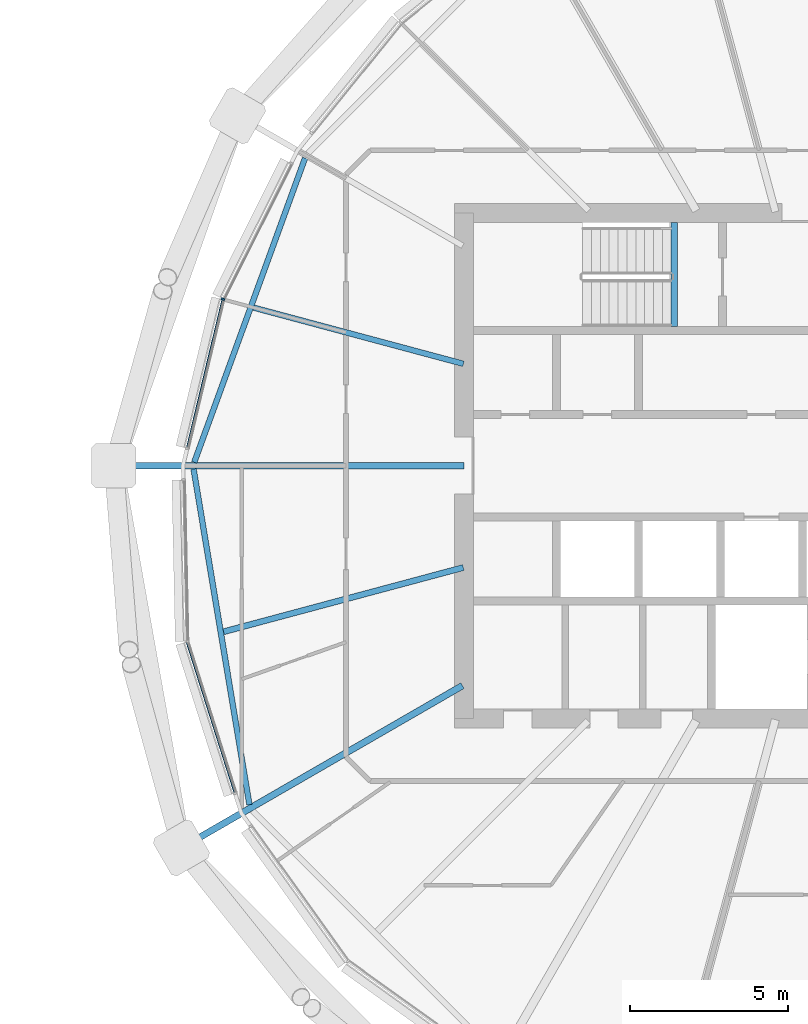
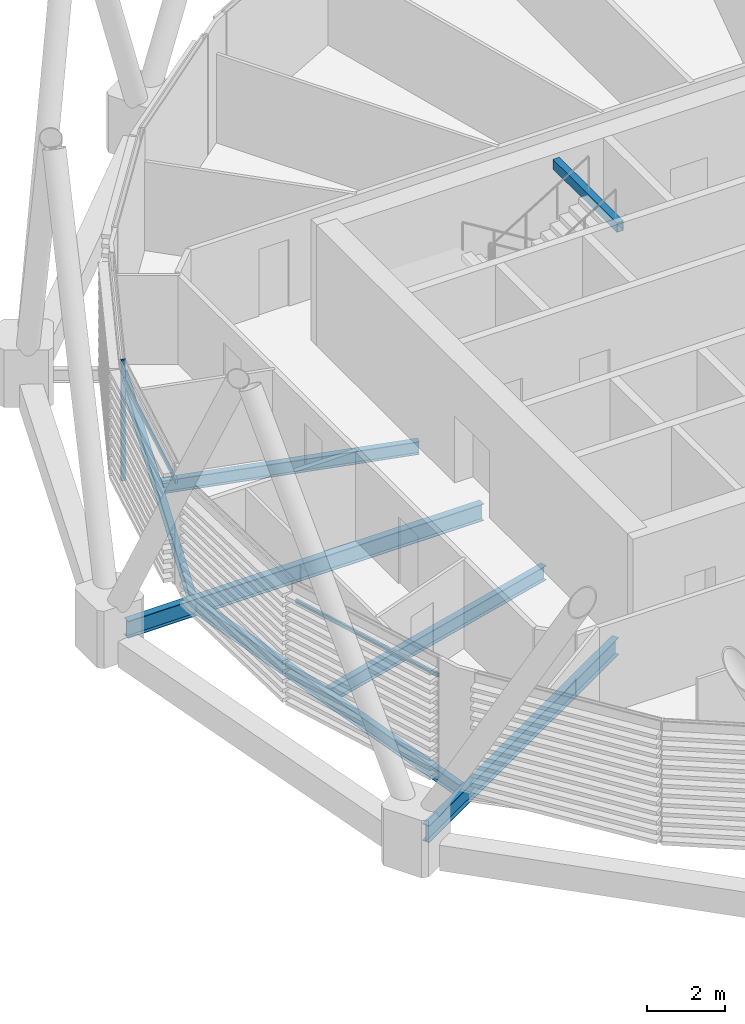
# One storey, part 15 of 37: 7 beams, 3 members, 1 element without a shape of its own.
"""IFC4 building model written with IfcOpenShell, lengths in metres."""

import ifcopenshell
import ifcopenshell.guid

model = None  # the IFC model being written
_history = None  # IfcOwnerHistory: only IFC2X3 demands one
_inside = {}  # id of a spatial element -> (the spatial element, [elements in it])
_under = {}  # id of a project, library or spatial element -> (it, [spatial elements below it])
_declared = {}  # id of a project -> (the project, [libraries it declares])
_typed = {}  # id of a type object -> (the type object, [elements of that type])
_made_of = {}  # id of a material, layer set ... -> (it, [elements and type objects made of it])


def new_model(schema):
    """Start an empty IFC model of exactly this schema.

    Asked for "IFC4X3", IfcOpenShell would pick the latest addendum, in which some entities
    have other attributes; the version numbers below select the first issue.
    IFC2X3 requires an IfcOwnerHistory on every rooted entity: one is made here for all.
    """
    global model, _history
    if schema == "IFC4X3":
        model = ifcopenshell.file(schema_version=(4, 3, 0, 0))
    else:
        model = ifcopenshell.file(schema=schema)
    _inside.clear()
    _under.clear()
    _declared.clear()
    _typed.clear()
    _made_of.clear()
    _history = None
    if model.schema == "IFC2X3":
        org = make("IfcOrganization", Name="unknown")
        user = make(
            "IfcPersonAndOrganization",
            ThePerson=make("IfcPerson", FamilyName="unknown"),
            TheOrganization=org,
        )
        app = make(
            "IfcApplication",
            ApplicationDeveloper=org,
            Version="unknown",
            ApplicationFullName="unknown",
            ApplicationIdentifier="unknown",
        )
        _history = make(
            "IfcOwnerHistory",
            OwningUser=user,
            OwningApplication=app,
            ChangeAction="ADDED",
            CreationDate=0,
        )
    return model


def make(cls, **values):
    """One entity of the class cls with the attributes given. An attribute that is None is left unset."""
    return model.create_entity(
        cls, **{name: value for name, value in values.items() if value is not None}
    )


def rooted(cls, **values):
    """An entity with a GlobalId (a new one), such as an element, a storey or a relation."""
    return make(cls, GlobalId=ifcopenshell.guid.new(), OwnerHistory=_history, **values)


def si_unit(unit_type, name, prefix=None):
    """IfcSIUnit, for example si_unit("LENGTHUNIT", "METRE", prefix="MILLI")."""
    return make("IfcSIUnit", UnitType=unit_type, Prefix=prefix, Name=name)


def assignment(units):
    """IfcUnitAssignment: the units of a project."""
    return None if units is None else make("IfcUnitAssignment", Units=units)


def point(xyz):
    """IfcCartesianPoint."""
    return None if xyz is None else make("IfcCartesianPoint", Coordinates=xyz)


def direction(xyz):
    """IfcDirection."""
    return None if xyz is None else make("IfcDirection", DirectionRatios=xyz)


def frame(location, z_axis=None, x_axis=None):
    """IfcAxis2Placement3D, a coordinate frame: its origin and axes. An axis left out is left unset."""
    return make(
        "IfcAxis2Placement3D",
        Location=point(location),
        Axis=direction(z_axis),
        RefDirection=direction(x_axis),
    )


def frame_2d(location, x_axis=None):
    """IfcAxis2Placement2D, a coordinate frame in the plane: its origin and x axis."""
    return make(
        "IfcAxis2Placement2D", Location=point(location), RefDirection=direction(x_axis)
    )


def origin():
    """The frame at (0, 0, 0) with its axes left unset."""
    return frame((0.0, 0.0, 0.0))


def origin_2d():
    """The frame at (0, 0) in the plane with its x axis left unset."""
    return frame_2d((0.0, 0.0))


def place(relative_to, where):
    """IfcLocalPlacement: puts the frame where relative to a parent placement (None: the world)."""
    return make(
        "IfcLocalPlacement", PlacementRelTo=relative_to, RelativePlacement=where
    )


def context(
    kind, dimensions, precision=None, world=None, true_north=None, identifier=None
):
    """IfcGeometricRepresentationContext, for example the 3D "Model" context."""
    return make(
        "IfcGeometricRepresentationContext",
        ContextIdentifier=identifier,
        ContextType=kind,
        CoordinateSpaceDimension=dimensions,
        Precision=precision,
        WorldCoordinateSystem=world,
        TrueNorth=true_north,
    )


def subcontext(parent, identifier, kind, view, scale=None):
    """IfcGeometricRepresentationSubContext, for example "Body" below "Model"."""
    return make(
        "IfcGeometricRepresentationSubContext",
        ContextIdentifier=identifier,
        ContextType=kind,
        ParentContext=parent,
        TargetScale=scale,
        TargetView=view,
    )


def project(units=None, contexts=None):
    """IfcProject with its units and contexts."""
    return rooted(
        "IfcProject",
        Name="project",
        RepresentationContexts=contexts,
        UnitsInContext=assignment(units),
    )


def spatial(cls, under=None, at=None, **own):
    """A site, building, storey or space (cls), placed at a placement, below another one or the project."""
    s = rooted(cls, ObjectPlacement=at, **own)
    if under is not None:
        _under.setdefault(under.id(), (under, []))[1].append(s)
    return s


def profile(cls, at=None, kind="AREA", **sizes):
    """A parametric profile (cls). Its sizes go by their IFC names, for example OverallWidth=200.0."""
    return make(cls, ProfileType=kind, Position=at, **sizes)


def rectangle(**sizes):
    """IfcRectangleProfileDef."""
    return profile("IfcRectangleProfileDef", **sizes)


def hollow_rectangle(**sizes):
    """IfcRectangleHollowProfileDef."""
    return profile("IfcRectangleHollowProfileDef", **sizes)


def i_section(**sizes):
    """IfcIShapeProfileDef."""
    return profile("IfcIShapeProfileDef", **sizes)


def extrude(swept, where, along, depth):
    """IfcExtrudedAreaSolid: the profile swept, set in the frame where, extruded along a direction by depth."""
    return make(
        "IfcExtrudedAreaSolid",
        SweptArea=swept,
        Position=where,
        ExtrudedDirection=direction(along),
        Depth=depth,
    )


def shape(context_of_items, identifier, shape_type, items):
    """IfcShapeRepresentation: the items that make up one representation, for example the "Body"."""
    return make(
        "IfcShapeRepresentation",
        ContextOfItems=context_of_items,
        RepresentationIdentifier=identifier,
        RepresentationType=shape_type,
        Items=items,
    )


def material(Name=None, Category=None):
    """IfcMaterial."""
    return make("IfcMaterial", Name=Name, Category=Category)


def material_profile(
    of_material, cross_section, Name=None, Category=None, Priority=None
):
    """IfcMaterialProfile: a cross section and its material."""
    return make(
        "IfcMaterialProfile",
        Name=Name,
        Material=of_material,
        Profile=cross_section,
        Priority=Priority,
        Category=Category,
    )


def profile_set(profiles, Name=None, composite=None):
    """IfcMaterialProfileSet."""
    return make(
        "IfcMaterialProfileSet",
        Name=Name,
        MaterialProfiles=profiles,
        CompositeProfile=composite,
    )


def made_of(thing, what):
    """Note that an element or type object is made of a material, layer set ...; save() writes the relation."""
    if what is not None:
        _made_of.setdefault(what.id(), (what, []))[1].append(thing)
    return thing


def type_object(cls, material=None, **own):
    """A type object (cls), such as IfcWallType, which elements share."""
    return made_of(rooted(cls, **own), material)


def element(
    cls,
    number,
    at=None,
    inside=None,
    cuts=None,
    type_object=None,
    material=None,
    context=None,
    identifier="Body",
    shape_type=None,
    held_by="IfcProductDefinitionShape",
    body=None,
    shapes=None,
    **own,
):
    """One element of the class cls, such as IfcWall. Its Tag is "e" and its number.

    at: its placement. inside: the storey or other place that contains it. cuts: it is an
    opening in that element (IfcRelVoidsElement). A single representation is given by context,
    identifier, shape_type and body (its items); several are given by shapes. held_by: the class
    of the entity that holds the representations. save() writes the other relations.
    """
    e = rooted(cls, Tag="e%d" % number, ObjectPlacement=at, **own)
    if body is not None:
        shapes = [shape(context, identifier, shape_type, body)]
    if shapes is not None:
        e.Representation = make(held_by, Representations=shapes)
    if inside is not None:
        _inside.setdefault(inside.id(), (inside, []))[1].append(e)
    if cuts is not None:
        rooted(
            "IfcRelVoidsElement", RelatingBuildingElement=cuts, RelatedOpeningElement=e
        )
    if type_object is not None:
        _typed.setdefault(type_object.id(), (type_object, []))[1].append(e)
    return made_of(e, material)


def aggregate(whole, parts):
    """IfcRelAggregates: a whole, such as a stair, and the parts it consists of."""
    return rooted("IfcRelAggregates", RelatingObject=whole, RelatedObjects=parts)


def save(model, path):
    """Write the relations noted so far, then the file.

    IfcRelAggregates (storeys below a building ...), IfcRelContainedInSpatialStructure (elements
    in a storey), IfcRelDefinesByType, IfcRelAssociatesMaterial and IfcRelDeclares: one each for
    every whole, place, type object, material and project.
    """
    for whole, parts in _under.values():
        aggregate(whole, parts)
    for where, things in _inside.values():
        rooted(
            "IfcRelContainedInSpatialStructure",
            RelatedElements=things,
            RelatingStructure=where,
        )
    for kind, things in _typed.values():
        rooted("IfcRelDefinesByType", RelatedObjects=things, RelatingType=kind)
    for what, things in _made_of.values():
        rooted("IfcRelAssociatesMaterial", RelatedObjects=things, RelatingMaterial=what)
    for by, libraries in _declared.values():
        rooted("IfcRelDeclares", RelatingContext=by, RelatedDefinitions=libraries)
    model.write(path)


model = new_model("IFC4")

# Units and contexts
model_context = context("Model", 3, precision=1e-05, world=origin(), true_north=direction((0.0, 1.0)))
body_context = subcontext(model_context, "Body", "Model", "MODEL_VIEW")
ifc_project = project(units=[si_unit("LENGTHUNIT", "METRE"), si_unit("AREAUNIT", "SQUARE_METRE"), si_unit("VOLUMEUNIT", "CUBIC_METRE"), si_unit("PLANEANGLEUNIT", "RADIAN"), si_unit("MASSUNIT", "GRAM", prefix="KILO")], contexts=[model_context])

# Site, building, storey
site_placement = place(None, origin())
site = spatial("IfcSite", under=ifc_project, at=site_placement, CompositionType="ELEMENT")
building_placement = place(site_placement, origin())
building = spatial("IfcBuilding", under=site, at=building_placement, Name="Rimbun Link Towers", CompositionType="ELEMENT")
storey_placement = place(building_placement, frame((0.0, 0.0, 170.300048828125)))
storey = spatial("IfcBuildingStorey", under=building, at=storey_placement, Name="L41", CompositionType="ELEMENT", Elevation=170.300048828125)

# Curtain wall, members
ifc_material_1 = material(Name="Aluminium 6063-T6 and low-iron glass", Category="aluminium")
curtain_wall_type = type_object("IfcCurtainWallType", Name="CW1-Z3 unitised vision wall (zone 3)", PredefinedType="NOTDEFINED", material=ifc_material_1)
curtain_wall_placement = place(storey_placement, origin())
curtain_wall = element("IfcCurtainWall", 1, at=curtain_wall_placement, inside=storey, type_object=curtain_wall_type, Name="CW1 L41 T2", PredefinedType="NOTDEFINED")
ifc_material_2 = material(Name="Aluminium 6063-T6", Category="aluminium")
ifc_material_profile_1 = material_profile(ifc_material_2, rectangle(XDim=0.1201171875, YDim=0.06005859375, at=origin_2d()), Name="MULLION 60X120")
ifc_profile_set_1 = profile_set([ifc_material_profile_1], Name="Aluminium 6063-T6")
member_type_1 = type_object("IfcMemberType", Name="CW1 mullion 60X120", PredefinedType="MULLION", material=ifc_profile_set_1)
member_1_placement = place(storey_placement, frame((12.115234375, 5.2666015625, 0.0), z_axis=(0.0, 0.0, 1.0), x_axis=(-0.939349260372, 0.342962048977, 0.0)))
member_1 = element("IfcMember", 2, at=member_1_placement, type_object=member_type_1, Name="CW1 mullion", PredefinedType="MULLION", context=body_context, shape_type="SweptSolid", body=[
    extrude(rectangle(XDim=0.1201171875, YDim=0.06005859375, at=origin_2d()), origin(), (0.0, 0.0, 1.0), 3.800048828125),
])
ifc_material_3 = material(Name="Aluminium 6063-T6", Category="aluminium")
ifc_material_profile_2 = material_profile(ifc_material_3, rectangle(XDim=0.06005859375, YDim=0.1201171875, at=origin_2d()), Name="TRANSOM 60X120")
ifc_profile_set_2 = profile_set([ifc_material_profile_2], Name="Aluminium 6063-T6")
member_type_2 = type_object("IfcMemberType", Name="CW1 transom 60X120", PredefinedType="USERDEFINED", material=ifc_profile_set_2)
member_2_placement = place(storey_placement, frame((10.995361328125, 0.57763671875, 3.199951171875), z_axis=(0.232616240029, 0.972568601629, 0.0), x_axis=(-0.972568601629, 0.232616240029, 0.0)))
member_2 = element("IfcMember", 3, at=member_2_placement, type_object=member_type_2, Name="CW1 transom", ObjectType="TRANSOM", PredefinedType="USERDEFINED", context=body_context, shape_type="SweptSolid", body=[
    extrude(rectangle(XDim=0.06005859375, YDim=0.1201171875, at=origin_2d()), origin(), (0.0, 0.0, 1.0), 4.783935546875),
])
member_3_placement = place(storey_placement, frame((12.49462890625, -10.335693359375, 3.199951171875), z_axis=(-0.303088138823, 0.952962528174, 0.0), x_axis=(-0.952962528174, -0.303088138823, 0.0)))
member_3 = element("IfcMember", 4, at=member_3_placement, type_object=member_type_2, Name="CW1 transom", ObjectType="TRANSOM", PredefinedType="USERDEFINED", context=body_context, shape_type="SweptSolid", body=[
    extrude(rectangle(XDim=0.06005859375, YDim=0.1201171875, at=origin_2d()), origin(), (0.0, 0.0, 1.0), 4.972412109375),
])
aggregate(curtain_wall, [member_1, member_2, member_3])

# Beams
ifc_material_4 = material(Name="Steel S355J2", Category="steel")
ifc_material_profile_3 = material_profile(ifc_material_4, hollow_rectangle(XDim=0.199951171875, YDim=0.300048828125, WallThickness=0.011962890625, at=origin_2d()), Name="BOX 300x200x12")
ifc_profile_set_3 = profile_set([ifc_material_profile_3], Name="Steel S355J2")
beam_type_1 = type_object("IfcBeamType", Name="Stair trimmer beam BOX 300x200x12", PredefinedType="BEAM", material=ifc_profile_set_3)
beam_1_placement = place(storey_placement, frame((26.39990234375, 7.699951171875, 3.5), z_axis=(0.0, -1.0, 0.0), x_axis=(1.0, 0.0, 0.0)))
element("IfcBeam", 5, at=beam_1_placement, inside=storey, type_object=beam_type_1, Name="L41 ST3 stair beam 1", PredefinedType="BEAM", context=body_context, shape_type="SweptSolid", body=[
    extrude(hollow_rectangle(XDim=0.199951171875, YDim=0.300048828125, WallThickness=0.011962890625, at=origin_2d()), origin(), (0.0, 0.0, 1.0), 3.300048828125),
])
ifc_material_5 = material(Name="Steel S355J2", Category="steel")
ifc_material_profile_4 = material_profile(ifc_material_5, i_section(OverallWidth=0.177978515625, OverallDepth=0.406494140625, WebThickness=0.0078125, FlangeThickness=0.0126953125, at=origin_2d()), Name="UB 406x178x60")
ifc_profile_set_4 = profile_set([ifc_material_profile_4], Name="Steel S355J2")
beam_type_2 = type_object("IfcBeamType", Name="UB 406x178x60", PredefinedType="BEAM", material=ifc_profile_set_4)
beam_2_placement = place(storey_placement, frame((19.72607421875, 3.2216796875, -0.353271484375), z_axis=(-0.965919812148, 0.258841489141, 0.0), x_axis=(-0.258841489141, -0.965919812148, 0.0)))
element("IfcBeam", 6, at=beam_2_placement, inside=storey, type_object=beam_type_2, Name="Radial beam T2 L41 08", PredefinedType="BEAM", context=body_context, shape_type="SweptSolid", body=[
    extrude(i_section(OverallWidth=0.177978515625, OverallDepth=0.406494140625, WebThickness=0.0078125, FlangeThickness=0.0126953125, at=origin_2d()), origin(), (0.0, 0.0, 1.0), 6.869384765625),
])
beam_3_placement = place(storey_placement, frame((14.7177734375, 9.729736328125, -0.353271484375), z_axis=(-0.342236785763, -0.939613741104, 0.0), x_axis=(0.939613741104, -0.342236785763, 0.0)))
element("IfcBeam", 7, at=beam_3_placement, inside=storey, type_object=beam_type_2, Name="Edge beam T2 L41 07-09", PredefinedType="BEAM", context=body_context, shape_type="SweptSolid", body=[
    extrude(i_section(OverallWidth=0.177978515625, OverallDepth=0.406494140625, WebThickness=0.0078125, FlangeThickness=0.0126953125, at=origin_2d()), origin(), (0.0, 0.0, 1.0), 10.242431640625),
])
beam_4_placement = place(storey_placement, frame((11.19140625, -0.105712890625, -0.353271484375), z_axis=(0.164159985935, -0.986433727636, 0.0), x_axis=(0.986433727636, 0.164159985935, 0.0)))
element("IfcBeam", 8, at=beam_4_placement, inside=storey, type_object=beam_type_2, Name="Edge beam T2 L41 09-11", PredefinedType="BEAM", context=body_context, shape_type="SweptSolid", body=[
    extrude(i_section(OverallWidth=0.177978515625, OverallDepth=0.406494140625, WebThickness=0.0078125, FlangeThickness=0.0126953125, at=origin_2d()), origin(), (0.0, 0.0, 1.0), 10.767333984375),
])
ifc_material_6 = material(Name="Steel S355J2", Category="steel")
ifc_material_profile_5 = material_profile(ifc_material_6, i_section(OverallWidth=0.18994140625, OverallDepth=0.453369140625, WebThickness=0.008544921875, FlangeThickness=0.0126953125, at=origin_2d()), Name="UB 457x191x67")
ifc_profile_set_5 = profile_set([ifc_material_profile_5], Name="Steel S355J2")
beam_type_3 = type_object("IfcBeamType", Name="UB 457x191x67", PredefinedType="BEAM", material=ifc_profile_set_5)
beam_5_placement = place(storey_placement, frame((19.724609375, -3.22216796875, -0.376708984375), z_axis=(-0.96592307091, -0.258829328097, 0.0), x_axis=(0.258829328097, -0.96592307091, 0.0)))
element("IfcBeam", 9, at=beam_5_placement, inside=storey, type_object=beam_type_3, Name="Radial beam T2 L41 10", PredefinedType="BEAM", context=body_context, shape_type="SweptSolid", body=[
    extrude(i_section(OverallWidth=0.18994140625, OverallDepth=0.453369140625, WebThickness=0.008544921875, FlangeThickness=0.0126953125, at=origin_2d()), origin(), (0.0, 0.0, 1.0), 7.8525390625),
])
ifc_material_7 = material(Name="Steel S355J2", Category="steel")
ifc_material_profile_6 = material_profile(ifc_material_7, i_section(OverallWidth=0.209228515625, OverallDepth=0.533203125, WebThickness=0.010009765625, FlangeThickness=0.015625, at=origin_2d()), Name="UB 533x210x92")
ifc_profile_set_6 = profile_set([ifc_material_profile_6], Name="Steel S355J2")
beam_type_4 = type_object("IfcBeamType", Name="UB 533x210x92", PredefinedType="BEAM", material=ifc_profile_set_6)
beam_6_placement = place(storey_placement, frame((19.7490234375, 0.0, -0.41650390625), z_axis=(-1.0, 0.0, 0.0), x_axis=(0.0, -1.0, 0.0)))
element("IfcBeam", 10, at=beam_6_placement, inside=storey, type_object=beam_type_4, Name="Radial beam T2 L41 09", PredefinedType="BEAM", context=body_context, shape_type="SweptSolid", body=[
    extrude(i_section(OverallWidth=0.209228515625, OverallDepth=0.533203125, WebThickness=0.010009765625, FlangeThickness=0.015625, at=origin_2d()), origin(), (0.0, 0.0, 1.0), 10.58203125),
])
beam_7_placement = place(storey_placement, frame((19.69677734375, -6.958984375, -0.41650390625), z_axis=(-0.866021953066, -0.500005976771, 0.0), x_axis=(0.500005976771, -0.866021953066, 0.0)))
element("IfcBeam", 11, at=beam_7_placement, inside=storey, type_object=beam_type_4, Name="Radial beam T2 L41 11", PredefinedType="BEAM", context=body_context, shape_type="SweptSolid", body=[
    extrude(i_section(OverallWidth=0.209228515625, OverallDepth=0.533203125, WebThickness=0.010009765625, FlangeThickness=0.015625, at=origin_2d()), origin(), (0.0, 0.0, 1.0), 9.7646484375),
])

save(model, "model.ifc")
